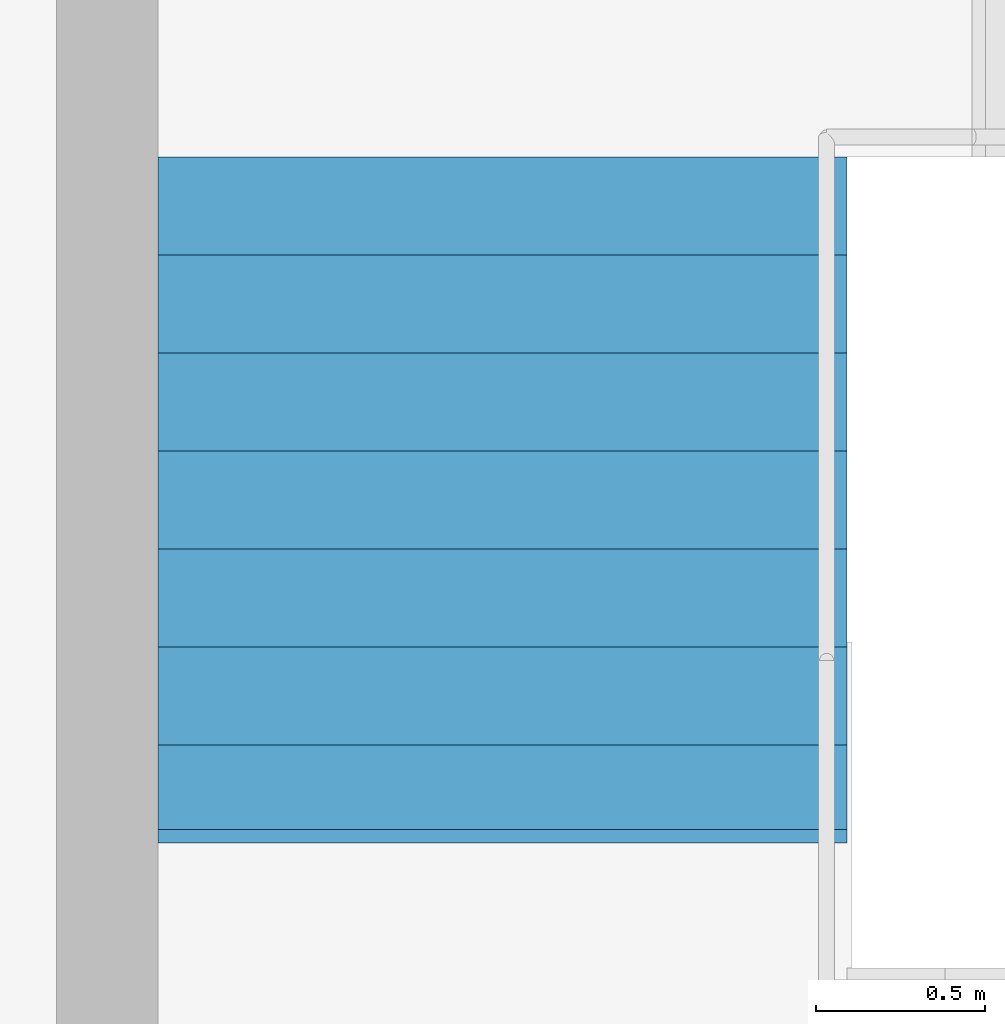
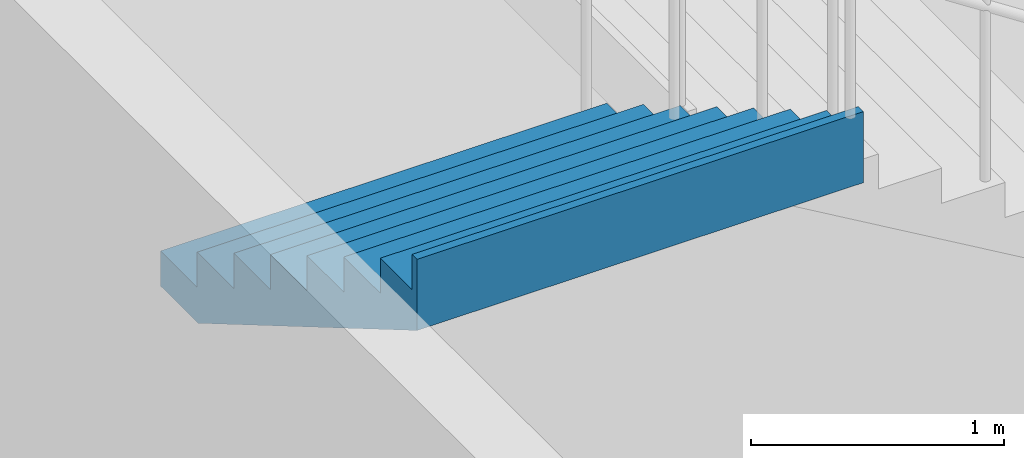
# One storey, part 37 of 50: 1 stair flight, 1 element without a shape of its own.
"""IFC4 building model written with IfcOpenShell, lengths in metres."""

from ifc_helpers import new_model, si_unit, direction, frame, origin, place, context, subcontext, project, spatial, triangles, material, type_object, element, aggregate, save


model = new_model("IFC4")

# Units and contexts
model_context = context("Model", 3, precision=1e-05, world=origin(), true_north=direction((0.0, 1.0)))
body_context = subcontext(model_context, "Body", "Model", "MODEL_VIEW")
ifc_project = project(units=[si_unit("LENGTHUNIT", "METRE"), si_unit("AREAUNIT", "SQUARE_METRE"), si_unit("VOLUMEUNIT", "CUBIC_METRE"), si_unit("PLANEANGLEUNIT", "RADIAN"), si_unit("MASSUNIT", "GRAM", prefix="KILO")], contexts=[model_context])

# Site, building, storey
site_placement = place(None, origin())
site = spatial("IfcSite", under=ifc_project, at=site_placement, CompositionType="ELEMENT")
building_placement = place(site_placement, origin())
building = spatial("IfcBuilding", under=site, at=building_placement, Name="Sillaruma Civic Art Gallery", CompositionType="ELEMENT")
storey_placement = place(building_placement, origin())
storey = spatial("IfcBuildingStorey", under=building, at=storey_placement, Name="L00", CompositionType="ELEMENT", Elevation=0.0)

# Stair, stair flight
ifc_material = material(Name="Concrete H35 (35 MPa)", Category="concrete")
stair_type = type_object("IfcStairType", Name="STR-4F-32", PredefinedType="USERDEFINED", material=ifc_material)
stair_placement = place(storey_placement, origin())
stair = element("IfcStair", 1, at=stair_placement, inside=storey, type_object=stair_type, Name="Protected Exit Stair ST-01 (West Wing) (L00)", ObjectType="THREE_RETURN_STAIR", PredefinedType="USERDEFINED")
stair_flight_type = type_object("IfcStairFlightType", Name="SFL-STR-8", PredefinedType="STRAIGHT", material=ifc_material)
stair_flight_placement = place(storey_placement, frame((26.580078125, 105.139892578125, 4.080078125), z_axis=(0.0, 0.0, 1.0), x_axis=(0.0, -1.0, 0.0)))
stair_flight = element("IfcStairFlight", 2, at=stair_flight_placement, type_object=stair_flight_type, Name="ST-01 flight 4", NumberOfRisers=8, NumberOfTreads=7, PredefinedType="STRAIGHT", RiserHeight=0.17, TreadLength=0.29, context=body_context, shape_type="Tessellation", body=[
    triangles([(0.0, -1.02001953125, 0.0), (0.29, -1.02001953125, 0.0), (0.296443, -1.02001953125, 0.0), (0.58, -1.02001953125, 0.166223), (0.87, -1.02001953125, 0.336223), (1.16, -1.02001953125, 0.506223), (1.45, -1.02001953125, 0.676223), (1.74, -1.02001953125, 0.846223), (1.990029, -1.02001953125, 0.992792), (2.030029, -1.02001953125, 1.01624), (2.030029, -1.02001953125, 1.36), (1.990029, -1.02001953125, 1.36), (1.990029, -1.02001953125, 1.19), (1.74, -1.02001953125, 1.19), (1.74, -1.02001953125, 1.02), (1.45, -1.02001953125, 1.02), (1.45, -1.02001953125, 0.85), (1.16, -1.02001953125, 0.85), (1.16, -1.02001953125, 0.68), (0.87, -1.02001953125, 0.68), (0.87, -1.02001953125, 0.51), (0.58, -1.02001953125, 0.51), (0.58, -1.02001953125, 0.34), (0.296443, -1.02001953125, 0.34), (0.29, -1.02001953125, 0.34), (0.29, -1.02001953125, 0.17), (0.0, -1.02001953125, 0.17), (0.0, -0.05, 0.0), (0.29, -0.05, 0.0), (0.296443, -0.05, 0.0), (0.58, -0.05, 0.166223), (0.87, -0.05, 0.336223), (1.16, -0.05, 0.506223), (1.45, -0.05, 0.676223), (1.74, -0.05, 0.846223), (1.990029, -0.05, 0.992792), (2.030029, -0.05, 1.01624), (2.030029, -0.05, 1.36), (1.990029, -0.05, 1.36), (1.990029, -0.05, 1.19), (1.74, -0.05, 1.19), (1.74, -0.05, 1.02), (1.45, -0.05, 1.02), (1.45, -0.05, 0.85), (1.16, -0.05, 0.85), (1.16, -0.05, 0.68), (0.87, -0.05, 0.68), (0.87, -0.05, 0.51), (0.58, -0.05, 0.51), (0.58, -0.05, 0.34), (0.296443, -0.05, 0.34), (0.29, -0.05, 0.34), (0.29, -0.05, 0.17), (0.0, -0.05, 0.17), (0.0, -0.0375, 0.0), (0.29, -0.0375, 0.0), (0.296443, -0.0375, 0.0), (0.58, -0.0375, 0.166223), (0.87, -0.0375, 0.336223), (1.16, -0.0375, 0.506223), (1.45, -0.0375, 0.676223), (1.74, -0.0375, 0.846223), (1.990029, -0.0375, 0.992792), (2.030029, -0.0375, 1.01624), (2.030029, -0.0375, 1.36), (1.990029, -0.0375, 1.36), (1.990029, -0.0375, 1.19), (1.74, -0.0375, 1.19), (1.74, -0.0375, 1.02), (1.45, -0.0375, 1.02), (1.45, -0.0375, 0.85), (1.16, -0.0375, 0.85), (1.16, -0.0375, 0.68), (0.87, -0.0375, 0.68), (0.87, -0.0375, 0.51), (0.58, -0.0375, 0.51), (0.58, -0.0375, 0.34), (0.296443, -0.0375, 0.34), (0.29, -0.0375, 0.34), (0.29, -0.0375, 0.17), (0.0, -0.0375, 0.17), (0.0, -0.025, 0.0), (0.29, -0.025, 0.0), (0.296443, -0.025, 0.0), (0.58, -0.025, 0.166223), (0.87, -0.025, 0.336223), (1.16, -0.025, 0.506223), (1.45, -0.025, 0.676223), (1.74, -0.025, 0.846223), (1.990029, -0.025, 0.992792), (2.030029, -0.025, 1.01624), (2.030029, -0.025, 1.36), (1.990029, -0.025, 1.36), (1.990029, -0.025, 1.19), (1.74, -0.025, 1.19), (1.74, -0.025, 1.02), (1.45, -0.025, 1.02), (1.45, -0.025, 0.85), (1.16, -0.025, 0.85), (1.16, -0.025, 0.68), (0.87, -0.025, 0.68), (0.87, -0.025, 0.51), (0.58, -0.025, 0.51), (0.58, -0.025, 0.34), (0.296443, -0.025, 0.34), (0.29, -0.025, 0.34), (0.29, -0.025, 0.17), (0.0, -0.025, 0.17), (0.0, -0.0125, 0.0), (0.29, -0.0125, 0.0), (0.296443, -0.0125, 0.0), (0.58, -0.0125, 0.166223), (0.87, -0.0125, 0.336223), (1.16, -0.0125, 0.506223), (1.45, -0.0125, 0.676223), (1.74, -0.0125, 0.846223), (1.990029, -0.0125, 0.992792), (2.030029, -0.0125, 1.01624), (2.030029, -0.0125, 1.36), (1.990029, -0.0125, 1.36), (1.990029, -0.0125, 1.19), (1.74, -0.0125, 1.19), (1.74, -0.0125, 1.02), (1.45, -0.0125, 1.02), (1.45, -0.0125, 0.85), (1.16, -0.0125, 0.85), (1.16, -0.0125, 0.68), (0.87, -0.0125, 0.68), (0.87, -0.0125, 0.51), (0.58, -0.0125, 0.51), (0.58, -0.0125, 0.34), (0.296443, -0.0125, 0.34), (0.29, -0.0125, 0.34), (0.29, -0.0125, 0.17), (0.0, -0.0125, 0.17), (0.0, 0.0, 0.0), (0.29, 0.0, 0.0), (0.296443, 0.0, 0.0), (0.58, 0.0, 0.166223), (0.87, 0.0, 0.336223), (1.16, 0.0, 0.506223), (1.45, 0.0, 0.676223), (1.74, 0.0, 0.846223), (1.990029, 0.0, 0.992792), (2.030029, 0.0, 1.01624), (2.030029, 0.0, 1.36), (1.990029, 0.0, 1.36), (1.990029, 0.0, 1.19), (1.74, 0.0, 1.19), (1.74, 0.0, 1.02), (1.45, 0.0, 1.02), (1.45, 0.0, 0.85), (1.16, 0.0, 0.85), (1.16, 0.0, 0.68), (0.87, 0.0, 0.68), (0.87, 0.0, 0.51), (0.58, 0.0, 0.51), (0.58, 0.0, 0.34), (0.296443, 0.0, 0.34), (0.29, 0.0, 0.34), (0.29, 0.0, 0.17), (0.0, 0.0, 0.17), (0.0, 0.0125, 0.0), (0.29, 0.0125, 0.0), (0.296443, 0.0125, 0.0), (0.58, 0.0125, 0.166223), (0.87, 0.0125, 0.336223), (1.16, 0.0125, 0.506223), (1.45, 0.0125, 0.676223), (1.74, 0.0125, 0.846223), (1.990029, 0.0125, 0.992792), (2.030029, 0.0125, 1.01624), (2.030029, 0.0125, 1.36), (1.990029, 0.0125, 1.36), (1.990029, 0.0125, 1.19), (1.74, 0.0125, 1.19), (1.74, 0.0125, 1.02), (1.45, 0.0125, 1.02), (1.45, 0.0125, 0.85), (1.16, 0.0125, 0.85), (1.16, 0.0125, 0.68), (0.87, 0.0125, 0.68), (0.87, 0.0125, 0.51), (0.58, 0.0125, 0.51), (0.58, 0.0125, 0.34), (0.296443, 0.0125, 0.34), (0.29, 0.0125, 0.34), (0.29, 0.0125, 0.17), (0.0, 0.0125, 0.17), (0.0, 0.025, 0.0), (0.29, 0.025, 0.0), (0.296443, 0.025, 0.0), (0.58, 0.025, 0.166223), (0.87, 0.025, 0.336223), (1.16, 0.025, 0.506223), (1.45, 0.025, 0.676223), (1.74, 0.025, 0.846223), (1.990029, 0.025, 0.992792), (2.030029, 0.025, 1.01624), (2.030029, 0.025, 1.36), (1.990029, 0.025, 1.36), (1.990029, 0.025, 1.19), (1.74, 0.025, 1.19), (1.74, 0.025, 1.02), (1.45, 0.025, 1.02), (1.45, 0.025, 0.85), (1.16, 0.025, 0.85), (1.16, 0.025, 0.68), (0.87, 0.025, 0.68), (0.87, 0.025, 0.51), (0.58, 0.025, 0.51), (0.58, 0.025, 0.34), (0.296443, 0.025, 0.34), (0.29, 0.025, 0.34), (0.29, 0.025, 0.17), (0.0, 0.025, 0.17), (0.0, 0.0375, 0.0), (0.29, 0.0375, 0.0), (0.296443, 0.0375, 0.0), (0.58, 0.0375, 0.166223), (0.87, 0.0375, 0.336223), (1.16, 0.0375, 0.506223), (1.45, 0.0375, 0.676223), (1.74, 0.0375, 0.846223), (1.990029, 0.0375, 0.992792), (2.030029, 0.0375, 1.01624), (2.030029, 0.0375, 1.36), (1.990029, 0.0375, 1.36), (1.990029, 0.0375, 1.19), (1.74, 0.0375, 1.19), (1.74, 0.0375, 1.02), (1.45, 0.0375, 1.02), (1.45, 0.0375, 0.85), (1.16, 0.0375, 0.85), (1.16, 0.0375, 0.68), (0.87, 0.0375, 0.68), (0.87, 0.0375, 0.51), (0.58, 0.0375, 0.51), (0.58, 0.0375, 0.34), (0.296443, 0.0375, 0.34), (0.29, 0.0375, 0.34), (0.29, 0.0375, 0.17), (0.0, 0.0375, 0.17), (0.0, 0.05, 0.0), (0.29, 0.05, 0.0), (0.296443, 0.05, 0.0), (0.58, 0.05, 0.166223), (0.87, 0.05, 0.336223), (1.16, 0.05, 0.506223), (1.45, 0.05, 0.676223), (1.74, 0.05, 0.846223), (1.990029, 0.05, 0.992792), (2.030029, 0.05, 1.01624), (2.030029, 0.05, 1.36), (1.990029, 0.05, 1.36), (1.990029, 0.05, 1.19), (1.74, 0.05, 1.19), (1.74, 0.05, 1.02), (1.45, 0.05, 1.02), (1.45, 0.05, 0.85), (1.16, 0.05, 0.85), (1.16, 0.05, 0.68), (0.87, 0.05, 0.68), (0.87, 0.05, 0.51), (0.58, 0.05, 0.51), (0.58, 0.05, 0.34), (0.296443, 0.05, 0.34), (0.29, 0.05, 0.34), (0.29, 0.05, 0.17), (0.0, 0.05, 0.17), (0.0, 1.02001953125, 0.0), (0.29, 1.02001953125, 0.0), (0.296443, 1.02001953125, 0.0), (0.58, 1.02001953125, 0.166223), (0.87, 1.02001953125, 0.336223), (1.16, 1.02001953125, 0.506223), (1.45, 1.02001953125, 0.676223), (1.74, 1.02001953125, 0.846223), (1.990029, 1.02001953125, 0.992792), (2.030029, 1.02001953125, 1.01624), (2.030029, 1.02001953125, 1.36), (1.990029, 1.02001953125, 1.36), (1.990029, 1.02001953125, 1.19), (1.74, 1.02001953125, 1.19), (1.74, 1.02001953125, 1.02), (1.45, 1.02001953125, 1.02), (1.45, 1.02001953125, 0.85), (1.16, 1.02001953125, 0.85), (1.16, 1.02001953125, 0.68), (0.87, 1.02001953125, 0.68), (0.87, 1.02001953125, 0.51), (0.58, 1.02001953125, 0.51), (0.58, 1.02001953125, 0.34), (0.296443, 1.02001953125, 0.34), (0.29, 1.02001953125, 0.34), (0.29, 1.02001953125, 0.17), (0.0, 1.02001953125, 0.17)], [[1, 2, 26], [1, 26, 27], [2, 3, 24], [2, 24, 26], [26, 24, 25], [3, 4, 23], [3, 23, 24], [4, 5, 21], [4, 21, 23], [23, 21, 22], [5, 6, 19], [5, 19, 21], [21, 19, 20], [6, 7, 17], [6, 17, 19], [19, 17, 18], [7, 8, 15], [7, 15, 17], [17, 15, 16], [8, 9, 13], [8, 13, 15], [15, 13, 14], [9, 10, 11], [9, 11, 13], [13, 11, 12], [296, 272, 271], [297, 296, 271], [294, 273, 272], [296, 294, 272], [295, 294, 296], [293, 274, 273], [294, 293, 273], [291, 275, 274], [293, 291, 274], [292, 291, 293], [289, 276, 275], [291, 289, 275], [290, 289, 291], [287, 277, 276], [289, 287, 276], [288, 287, 289], [285, 278, 277], [287, 285, 277], [286, 285, 287], [283, 279, 278], [285, 283, 278], [284, 283, 285], [281, 280, 279], [283, 281, 279], [282, 281, 283], [2, 1, 28], [2, 28, 29], [3, 2, 29], [3, 29, 30], [4, 3, 30], [4, 30, 31], [5, 4, 31], [5, 31, 32], [6, 5, 32], [6, 32, 33], [7, 6, 33], [7, 33, 34], [8, 7, 34], [8, 34, 35], [9, 8, 35], [9, 35, 36], [10, 9, 36], [10, 36, 37], [11, 10, 37], [11, 37, 38], [12, 11, 38], [12, 38, 39], [13, 12, 39], [13, 39, 40], [14, 13, 40], [14, 40, 41], [15, 14, 41], [15, 41, 42], [16, 15, 42], [16, 42, 43], [17, 16, 43], [17, 43, 44], [18, 17, 44], [18, 44, 45], [19, 18, 45], [19, 45, 46], [20, 19, 46], [20, 46, 47], [21, 20, 47], [21, 47, 48], [22, 21, 48], [22, 48, 49], [23, 22, 49], [23, 49, 50], [24, 23, 50], [24, 50, 51], [25, 24, 51], [25, 51, 52], [26, 25, 52], [26, 52, 53], [27, 26, 53], [27, 53, 54], [1, 27, 54], [1, 54, 28], [29, 28, 55], [29, 55, 56], [30, 29, 56], [30, 56, 57], [31, 30, 57], [31, 57, 58], [32, 31, 58], [32, 58, 59], [33, 32, 59], [33, 59, 60], [34, 33, 60], [34, 60, 61], [35, 34, 61], [35, 61, 62], [36, 35, 62], [36, 62, 63], [37, 36, 63], [37, 63, 64], [38, 37, 64], [38, 64, 65], [39, 38, 65], [39, 65, 66], [40, 39, 66], [40, 66, 67], [41, 40, 67], [41, 67, 68], [42, 41, 68], [42, 68, 69], [43, 42, 69], [43, 69, 70], [44, 43, 70], [44, 70, 71], [45, 44, 71], [45, 71, 72], [46, 45, 72], [46, 72, 73], [47, 46, 73], [47, 73, 74], [48, 47, 74], [48, 74, 75], [49, 48, 75], [49, 75, 76], [50, 49, 76], [50, 76, 77], [51, 50, 77], [51, 77, 78], [52, 51, 78], [52, 78, 79], [53, 52, 79], [53, 79, 80], [54, 53, 80], [54, 80, 81], [28, 54, 81], [28, 81, 55], [56, 55, 82], [56, 82, 83], [57, 56, 83], [57, 83, 84], [58, 57, 84], [58, 84, 85], [59, 58, 85], [59, 85, 86], [60, 59, 86], [60, 86, 87], [61, 60, 87], [61, 87, 88], [62, 61, 88], [62, 88, 89], [63, 62, 89], [63, 89, 90], [64, 63, 90], [64, 90, 91], [65, 64, 91], [65, 91, 92], [66, 65, 92], [66, 92, 93], [67, 66, 93], [67, 93, 94], [68, 67, 94], [68, 94, 95], [69, 68, 95], [69, 95, 96], [70, 69, 96], [70, 96, 97], [71, 70, 97], [71, 97, 98], [72, 71, 98], [72, 98, 99], [73, 72, 99], [73, 99, 100], [74, 73, 100], [74, 100, 101], [75, 74, 101], [75, 101, 102], [76, 75, 102], [76, 102, 103], [77, 76, 103], [77, 103, 104], [78, 77, 104], [78, 104, 105], [79, 78, 105], [79, 105, 106], [80, 79, 106], [80, 106, 107], [81, 80, 107], [81, 107, 108], [55, 81, 108], [55, 108, 82], [83, 82, 109], [83, 109, 110], [84, 83, 110], [84, 110, 111], [85, 84, 111], [85, 111, 112], [86, 85, 112], [86, 112, 113], [87, 86, 113], [87, 113, 114], [88, 87, 114], [88, 114, 115], [89, 88, 115], [89, 115, 116], [90, 89, 116], [90, 116, 117], [91, 90, 117], [91, 117, 118], [92, 91, 118], [92, 118, 119], [93, 92, 119], [93, 119, 120], [94, 93, 120], [94, 120, 121], [95, 94, 121], [95, 121, 122], [96, 95, 122], [96, 122, 123], [97, 96, 123], [97, 123, 124], [98, 97, 124], [98, 124, 125], [99, 98, 125], [99, 125, 126], [100, 99, 126], [100, 126, 127], [101, 100, 127], [101, 127, 128], [102, 101, 128], [102, 128, 129], [103, 102, 129], [103, 129, 130], [104, 103, 130], [104, 130, 131], [105, 104, 131], [105, 131, 132], [106, 105, 132], [106, 132, 133], [107, 106, 133], [107, 133, 134], [108, 107, 134], [108, 134, 135], [82, 108, 135], [82, 135, 109], [110, 109, 136], [110, 136, 137], [111, 110, 137], [111, 137, 138], [112, 111, 138], [112, 138, 139], [113, 112, 139], [113, 139, 140], [114, 113, 140], [114, 140, 141], [115, 114, 141], [115, 141, 142], [116, 115, 142], [116, 142, 143], [117, 116, 143], [117, 143, 144], [118, 117, 144], [118, 144, 145], [119, 118, 145], [119, 145, 146], [120, 119, 146], [120, 146, 147], [121, 120, 147], [121, 147, 148], [122, 121, 148], [122, 148, 149], [123, 122, 149], [123, 149, 150], [124, 123, 150], [124, 150, 151], [125, 124, 151], [125, 151, 152], [126, 125, 152], [126, 152, 153], [127, 126, 153], [127, 153, 154], [128, 127, 154], [128, 154, 155], [129, 128, 155], [129, 155, 156], [130, 129, 156], [130, 156, 157], [131, 130, 157], [131, 157, 158], [132, 131, 158], [132, 158, 159], [133, 132, 159], [133, 159, 160], [134, 133, 160], [134, 160, 161], [135, 134, 161], [135, 161, 162], [109, 135, 162], [109, 162, 136], [137, 136, 163], [137, 163, 164], [138, 137, 164], [138, 164, 165], [139, 138, 165], [139, 165, 166], [140, 139, 166], [140, 166, 167], [141, 140, 167], [141, 167, 168], [142, 141, 168], [142, 168, 169], [143, 142, 169], [143, 169, 170], [144, 143, 170], [144, 170, 171], [145, 144, 171], [145, 171, 172], [146, 145, 172], [146, 172, 173], [147, 146, 173], [147, 173, 174], [148, 147, 174], [148, 174, 175], [149, 148, 175], [149, 175, 176], [150, 149, 176], [150, 176, 177], [151, 150, 177], [151, 177, 178], [152, 151, 178], [152, 178, 179], [153, 152, 179], [153, 179, 180], [154, 153, 180], [154, 180, 181], [155, 154, 181], [155, 181, 182], [156, 155, 182], [156, 182, 183], [157, 156, 183], [157, 183, 184], [158, 157, 184], [158, 184, 185], [159, 158, 185], [159, 185, 186], [160, 159, 186], [160, 186, 187], [161, 160, 187], [161, 187, 188], [162, 161, 188], [162, 188, 189], [136, 162, 189], [136, 189, 163], [164, 163, 190], [164, 190, 191], [165, 164, 191], [165, 191, 192], [166, 165, 192], [166, 192, 193], [167, 166, 193], [167, 193, 194], [168, 167, 194], [168, 194, 195], [169, 168, 195], [169, 195, 196], [170, 169, 196], [170, 196, 197], [171, 170, 197], [171, 197, 198], [172, 171, 198], [172, 198, 199], [173, 172, 199], [173, 199, 200], [174, 173, 200], [174, 200, 201], [175, 174, 201], [175, 201, 202], [176, 175, 202], [176, 202, 203], [177, 176, 203], [177, 203, 204], [178, 177, 204], [178, 204, 205], [179, 178, 205], [179, 205, 206], [180, 179, 206], [180, 206, 207], [181, 180, 207], [181, 207, 208], [182, 181, 208], [182, 208, 209], [183, 182, 209], [183, 209, 210], [184, 183, 210], [184, 210, 211], [185, 184, 211], [185, 211, 212], [186, 185, 212], [186, 212, 213], [187, 186, 213], [187, 213, 214], [188, 187, 214], [188, 214, 215], [189, 188, 215], [189, 215, 216], [163, 189, 216], [163, 216, 190], [191, 190, 217], [191, 217, 218], [192, 191, 218], [192, 218, 219], [193, 192, 219], [193, 219, 220], [194, 193, 220], [194, 220, 221], [195, 194, 221], [195, 221, 222], [196, 195, 222], [196, 222, 223], [197, 196, 223], [197, 223, 224], [198, 197, 224], [198, 224, 225], [199, 198, 225], [199, 225, 226], [200, 199, 226], [200, 226, 227], [201, 200, 227], [201, 227, 228], [202, 201, 228], [202, 228, 229], [203, 202, 229], [203, 229, 230], [204, 203, 230], [204, 230, 231], [205, 204, 231], [205, 231, 232], [206, 205, 232], [206, 232, 233], [207, 206, 233], [207, 233, 234], [208, 207, 234], [208, 234, 235], [209, 208, 235], [209, 235, 236], [210, 209, 236], [210, 236, 237], [211, 210, 237], [211, 237, 238], [212, 211, 238], [212, 238, 239], [213, 212, 239], [213, 239, 240], [214, 213, 240], [214, 240, 241], [215, 214, 241], [215, 241, 242], [216, 215, 242], [216, 242, 243], [190, 216, 243], [190, 243, 217], [218, 217, 244], [218, 244, 245], [219, 218, 245], [219, 245, 246], [220, 219, 246], [220, 246, 247], [221, 220, 247], [221, 247, 248], [222, 221, 248], [222, 248, 249], [223, 222, 249], [223, 249, 250], [224, 223, 250], [224, 250, 251], [225, 224, 251], [225, 251, 252], [226, 225, 252], [226, 252, 253], [227, 226, 253], [227, 253, 254], [228, 227, 254], [228, 254, 255], [229, 228, 255], [229, 255, 256], [230, 229, 256], [230, 256, 257], [231, 230, 257], [231, 257, 258], [232, 231, 258], [232, 258, 259], [233, 232, 259], [233, 259, 260], [234, 233, 260], [234, 260, 261], [235, 234, 261], [235, 261, 262], [236, 235, 262], [236, 262, 263], [237, 236, 263], [237, 263, 264], [238, 237, 264], [238, 264, 265], [239, 238, 265], [239, 265, 266], [240, 239, 266], [240, 266, 267], [241, 240, 267], [241, 267, 268], [242, 241, 268], [242, 268, 269], [243, 242, 269], [243, 269, 270], [217, 243, 270], [217, 270, 244], [245, 244, 271], [245, 271, 272], [246, 245, 272], [246, 272, 273], [247, 246, 273], [247, 273, 274], [248, 247, 274], [248, 274, 275], [249, 248, 275], [249, 275, 276], [250, 249, 276], [250, 276, 277], [251, 250, 277], [251, 277, 278], [252, 251, 278], [252, 278, 279], [253, 252, 279], [253, 279, 280], [254, 253, 280], [254, 280, 281], [255, 254, 281], [255, 281, 282], [256, 255, 282], [256, 282, 283], [257, 256, 283], [257, 283, 284], [258, 257, 284], [258, 284, 285], [259, 258, 285], [259, 285, 286], [260, 259, 286], [260, 286, 287], [261, 260, 287], [261, 287, 288], [262, 261, 288], [262, 288, 289], [263, 262, 289], [263, 289, 290], [264, 263, 290], [264, 290, 291], [265, 264, 291], [265, 291, 292], [266, 265, 292], [266, 292, 293], [267, 266, 293], [267, 293, 294], [268, 267, 294], [268, 294, 295], [269, 268, 295], [269, 295, 296], [270, 269, 296], [270, 296, 297], [244, 270, 297], [244, 297, 271]], closed=True),
])
aggregate(stair, [stair_flight])

save(model, "model.ifc")
